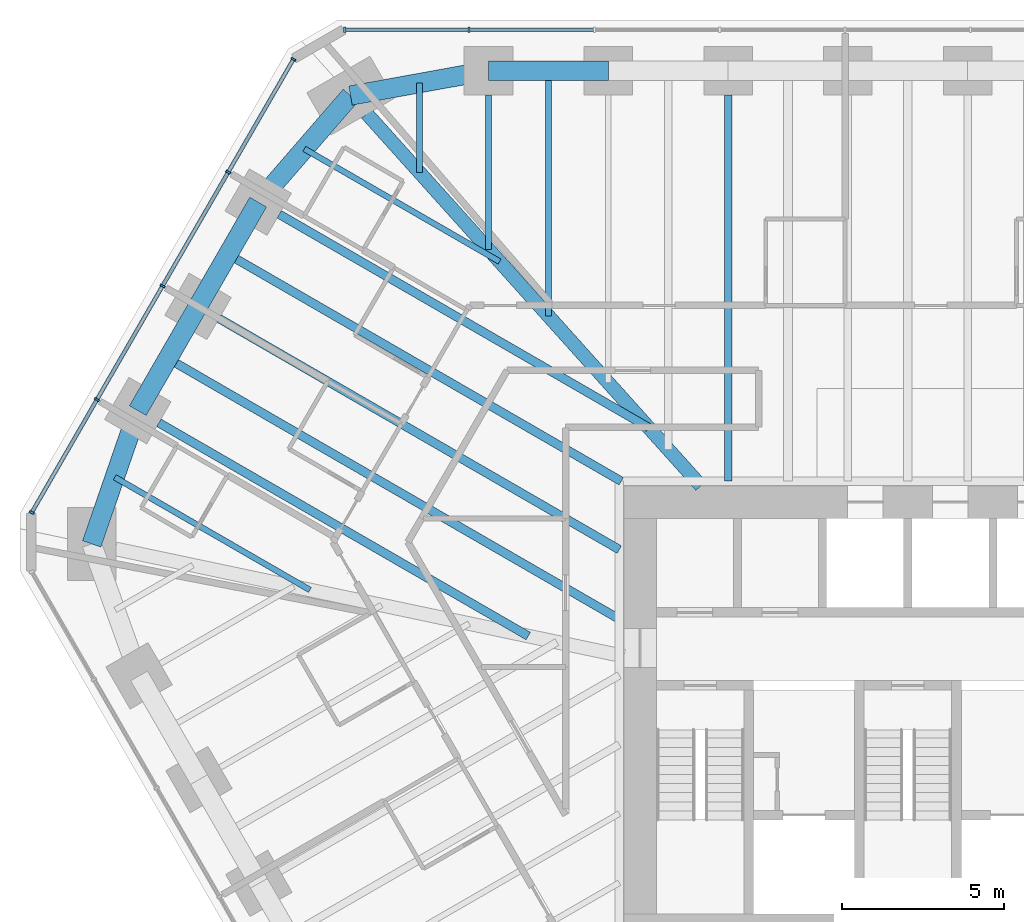
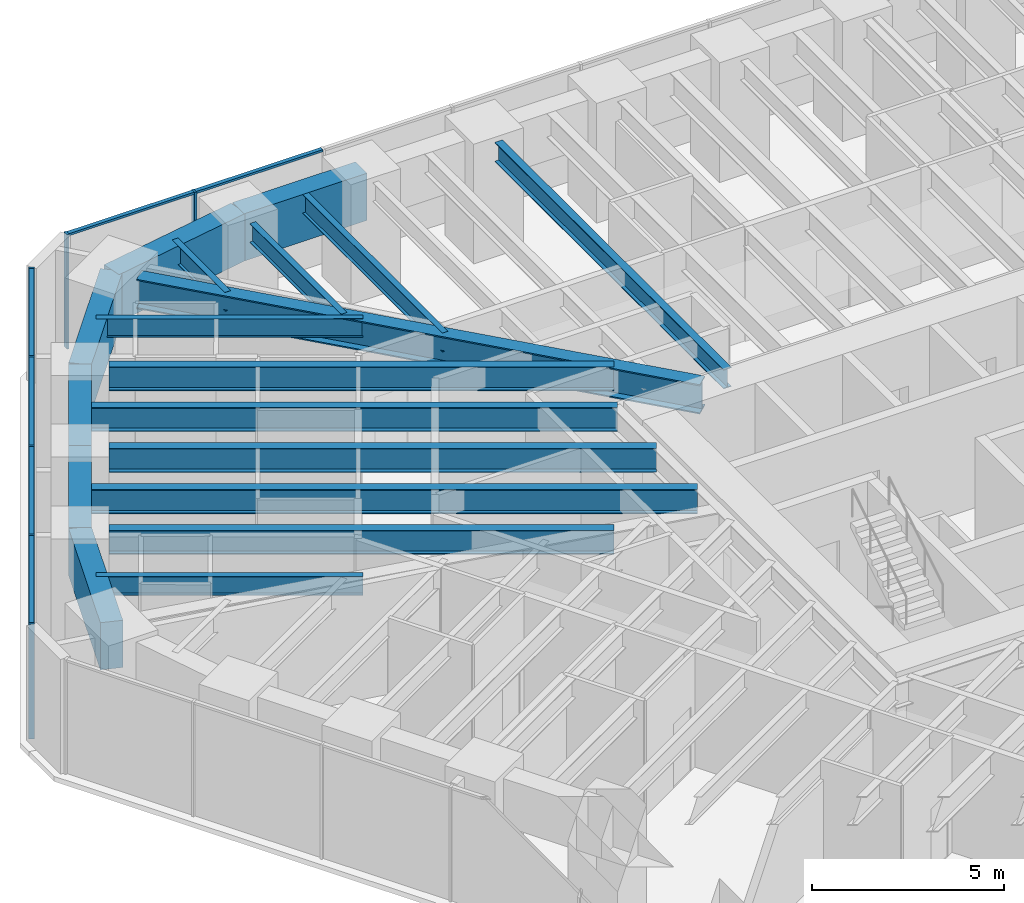
# One storey, part 7 of 17: 18 beams, 13 members, 2 elements without a shape of their own.
"""IFC4 building model written with IfcOpenShell, lengths in metres."""

import ifcopenshell
import ifcopenshell.guid

model = None  # the IFC model being written
_history = None  # IfcOwnerHistory: only IFC2X3 demands one
_inside = {}  # id of a spatial element -> (the spatial element, [elements in it])
_under = {}  # id of a project, library or spatial element -> (it, [spatial elements below it])
_declared = {}  # id of a project -> (the project, [libraries it declares])
_typed = {}  # id of a type object -> (the type object, [elements of that type])
_made_of = {}  # id of a material, layer set ... -> (it, [elements and type objects made of it])


def new_model(schema):
    """Start an empty IFC model of exactly this schema.

    Asked for "IFC4X3", IfcOpenShell would pick the latest addendum, in which some entities
    have other attributes; the version numbers below select the first issue.
    IFC2X3 requires an IfcOwnerHistory on every rooted entity: one is made here for all.
    """
    global model, _history
    if schema == "IFC4X3":
        model = ifcopenshell.file(schema_version=(4, 3, 0, 0))
    else:
        model = ifcopenshell.file(schema=schema)
    _inside.clear()
    _under.clear()
    _declared.clear()
    _typed.clear()
    _made_of.clear()
    _history = None
    if model.schema == "IFC2X3":
        org = make("IfcOrganization", Name="unknown")
        user = make(
            "IfcPersonAndOrganization",
            ThePerson=make("IfcPerson", FamilyName="unknown"),
            TheOrganization=org,
        )
        app = make(
            "IfcApplication",
            ApplicationDeveloper=org,
            Version="unknown",
            ApplicationFullName="unknown",
            ApplicationIdentifier="unknown",
        )
        _history = make(
            "IfcOwnerHistory",
            OwningUser=user,
            OwningApplication=app,
            ChangeAction="ADDED",
            CreationDate=0,
        )
    return model


def make(cls, **values):
    """One entity of the class cls with the attributes given. An attribute that is None is left unset."""
    return model.create_entity(
        cls, **{name: value for name, value in values.items() if value is not None}
    )


def rooted(cls, **values):
    """An entity with a GlobalId (a new one), such as an element, a storey or a relation."""
    return make(cls, GlobalId=ifcopenshell.guid.new(), OwnerHistory=_history, **values)


def si_unit(unit_type, name, prefix=None):
    """IfcSIUnit, for example si_unit("LENGTHUNIT", "METRE", prefix="MILLI")."""
    return make("IfcSIUnit", UnitType=unit_type, Prefix=prefix, Name=name)


def assignment(units):
    """IfcUnitAssignment: the units of a project."""
    return None if units is None else make("IfcUnitAssignment", Units=units)


def point(xyz):
    """IfcCartesianPoint."""
    return None if xyz is None else make("IfcCartesianPoint", Coordinates=xyz)


def direction(xyz):
    """IfcDirection."""
    return None if xyz is None else make("IfcDirection", DirectionRatios=xyz)


def frame(location, z_axis=None, x_axis=None):
    """IfcAxis2Placement3D, a coordinate frame: its origin and axes. An axis left out is left unset."""
    return make(
        "IfcAxis2Placement3D",
        Location=point(location),
        Axis=direction(z_axis),
        RefDirection=direction(x_axis),
    )


def frame_2d(location, x_axis=None):
    """IfcAxis2Placement2D, a coordinate frame in the plane: its origin and x axis."""
    return make(
        "IfcAxis2Placement2D", Location=point(location), RefDirection=direction(x_axis)
    )


def origin():
    """The frame at (0, 0, 0) with its axes left unset."""
    return frame((0.0, 0.0, 0.0))


def origin_2d():
    """The frame at (0, 0) in the plane with its x axis left unset."""
    return frame_2d((0.0, 0.0))


def place(relative_to, where):
    """IfcLocalPlacement: puts the frame where relative to a parent placement (None: the world)."""
    return make(
        "IfcLocalPlacement", PlacementRelTo=relative_to, RelativePlacement=where
    )


def context(
    kind, dimensions, precision=None, world=None, true_north=None, identifier=None
):
    """IfcGeometricRepresentationContext, for example the 3D "Model" context."""
    return make(
        "IfcGeometricRepresentationContext",
        ContextIdentifier=identifier,
        ContextType=kind,
        CoordinateSpaceDimension=dimensions,
        Precision=precision,
        WorldCoordinateSystem=world,
        TrueNorth=true_north,
    )


def subcontext(parent, identifier, kind, view, scale=None):
    """IfcGeometricRepresentationSubContext, for example "Body" below "Model"."""
    return make(
        "IfcGeometricRepresentationSubContext",
        ContextIdentifier=identifier,
        ContextType=kind,
        ParentContext=parent,
        TargetScale=scale,
        TargetView=view,
    )


def project(units=None, contexts=None):
    """IfcProject with its units and contexts."""
    return rooted(
        "IfcProject",
        Name="project",
        RepresentationContexts=contexts,
        UnitsInContext=assignment(units),
    )


def spatial(cls, under=None, at=None, **own):
    """A site, building, storey or space (cls), placed at a placement, below another one or the project."""
    s = rooted(cls, ObjectPlacement=at, **own)
    if under is not None:
        _under.setdefault(under.id(), (under, []))[1].append(s)
    return s


def profile(cls, at=None, kind="AREA", **sizes):
    """A parametric profile (cls). Its sizes go by their IFC names, for example OverallWidth=200.0."""
    return make(cls, ProfileType=kind, Position=at, **sizes)


def rectangle(**sizes):
    """IfcRectangleProfileDef."""
    return profile("IfcRectangleProfileDef", **sizes)


def i_section(**sizes):
    """IfcIShapeProfileDef."""
    return profile("IfcIShapeProfileDef", **sizes)


def extrude(swept, where, along, depth):
    """IfcExtrudedAreaSolid: the profile swept, set in the frame where, extruded along a direction by depth."""
    return make(
        "IfcExtrudedAreaSolid",
        SweptArea=swept,
        Position=where,
        ExtrudedDirection=direction(along),
        Depth=depth,
    )


def shape(context_of_items, identifier, shape_type, items):
    """IfcShapeRepresentation: the items that make up one representation, for example the "Body"."""
    return make(
        "IfcShapeRepresentation",
        ContextOfItems=context_of_items,
        RepresentationIdentifier=identifier,
        RepresentationType=shape_type,
        Items=items,
    )


def material(Name=None, Category=None):
    """IfcMaterial."""
    return make("IfcMaterial", Name=Name, Category=Category)


def material_profile(
    of_material, cross_section, Name=None, Category=None, Priority=None
):
    """IfcMaterialProfile: a cross section and its material."""
    return make(
        "IfcMaterialProfile",
        Name=Name,
        Material=of_material,
        Profile=cross_section,
        Priority=Priority,
        Category=Category,
    )


def profile_set(profiles, Name=None, composite=None):
    """IfcMaterialProfileSet."""
    return make(
        "IfcMaterialProfileSet",
        Name=Name,
        MaterialProfiles=profiles,
        CompositeProfile=composite,
    )


def made_of(thing, what):
    """Note that an element or type object is made of a material, layer set ...; save() writes the relation."""
    if what is not None:
        _made_of.setdefault(what.id(), (what, []))[1].append(thing)
    return thing


def type_object(cls, material=None, **own):
    """A type object (cls), such as IfcWallType, which elements share."""
    return made_of(rooted(cls, **own), material)


def element(
    cls,
    number,
    at=None,
    inside=None,
    cuts=None,
    type_object=None,
    material=None,
    context=None,
    identifier="Body",
    shape_type=None,
    held_by="IfcProductDefinitionShape",
    body=None,
    shapes=None,
    **own,
):
    """One element of the class cls, such as IfcWall. Its Tag is "e" and its number.

    at: its placement. inside: the storey or other place that contains it. cuts: it is an
    opening in that element (IfcRelVoidsElement). A single representation is given by context,
    identifier, shape_type and body (its items); several are given by shapes. held_by: the class
    of the entity that holds the representations. save() writes the other relations.
    """
    e = rooted(cls, Tag="e%d" % number, ObjectPlacement=at, **own)
    if body is not None:
        shapes = [shape(context, identifier, shape_type, body)]
    if shapes is not None:
        e.Representation = make(held_by, Representations=shapes)
    if inside is not None:
        _inside.setdefault(inside.id(), (inside, []))[1].append(e)
    if cuts is not None:
        rooted(
            "IfcRelVoidsElement", RelatingBuildingElement=cuts, RelatedOpeningElement=e
        )
    if type_object is not None:
        _typed.setdefault(type_object.id(), (type_object, []))[1].append(e)
    return made_of(e, material)


def aggregate(whole, parts):
    """IfcRelAggregates: a whole, such as a stair, and the parts it consists of."""
    return rooted("IfcRelAggregates", RelatingObject=whole, RelatedObjects=parts)


def save(model, path):
    """Write the relations noted so far, then the file.

    IfcRelAggregates (storeys below a building ...), IfcRelContainedInSpatialStructure (elements
    in a storey), IfcRelDefinesByType, IfcRelAssociatesMaterial and IfcRelDeclares: one each for
    every whole, place, type object, material and project.
    """
    for whole, parts in _under.values():
        aggregate(whole, parts)
    for where, things in _inside.values():
        rooted(
            "IfcRelContainedInSpatialStructure",
            RelatedElements=things,
            RelatingStructure=where,
        )
    for kind, things in _typed.values():
        rooted("IfcRelDefinesByType", RelatedObjects=things, RelatingType=kind)
    for what, things in _made_of.values():
        rooted("IfcRelAssociatesMaterial", RelatedObjects=things, RelatingMaterial=what)
    for by, libraries in _declared.values():
        rooted("IfcRelDeclares", RelatingContext=by, RelatedDefinitions=libraries)
    model.write(path)


model = new_model("IFC4")

# Units and contexts
model_context = context("Model", 3, precision=1e-05, world=origin(), true_north=direction((0.0, 1.0)))
body_context = subcontext(model_context, "Body", "Model", "MODEL_VIEW")
ifc_project = project(units=[si_unit("LENGTHUNIT", "METRE"), si_unit("AREAUNIT", "SQUARE_METRE"), si_unit("VOLUMEUNIT", "CUBIC_METRE"), si_unit("PLANEANGLEUNIT", "RADIAN"), si_unit("MASSUNIT", "GRAM", prefix="KILO")], contexts=[model_context])

# Site, building, storey
site_placement = place(None, origin())
site = spatial("IfcSite", under=ifc_project, at=site_placement, CompositionType="ELEMENT")
building_placement = place(site_placement, origin())
building = spatial("IfcBuilding", under=site, at=building_placement, Name="Sandreach Pilgrim Tower", CompositionType="ELEMENT")
storey_placement = place(building_placement, frame((0.0, 0.0, 198.39990234375)))
storey = spatial("IfcBuildingStorey", under=building, at=storey_placement, Name="L49", CompositionType="ELEMENT", Elevation=198.39990234375)

# Curtain wall, members
ifc_material_1 = material(Name="Aluminium framed curtain wall", Category="aluminium")
curtain_wall_type = type_object("IfcCurtainWallType", Name="Upper hotel tower curtain wall", PredefinedType="NOTDEFINED", material=ifc_material_1)
curtain_wall_1_placement = place(storey_placement, origin())
curtain_wall_1 = element("IfcCurtainWall", 1, at=curtain_wall_1_placement, inside=storey, type_object=curtain_wall_type, Name="CW-3 L49 N", PredefinedType="NOTDEFINED")
ifc_material_2 = material(Name="Aluminium extrusion", Category="aluminium")
ifc_material_profile_1 = material_profile(ifc_material_2, rectangle(XDim=0.06494140625, YDim=0.159912109375, at=origin_2d()), Name="CW-3M 65X160")
ifc_profile_set_1 = profile_set([ifc_material_profile_1], Name="Aluminium extrusion")
member_type_1 = type_object("IfcMemberType", Name="CW-3 mullion", PredefinedType="MULLION", material=ifc_profile_set_1)
member_1_placement = place(storey_placement, frame((-17.357421875, 21.16015625, 0.0), z_axis=(0.0, 0.0, 1.0), x_axis=(1.0, 0.0, 0.0)))
member_1 = element("IfcMember", 2, at=member_1_placement, type_object=member_type_1, Name="CW-3 mullion 1", PredefinedType="MULLION", context=body_context, shape_type="SweptSolid", body=[
    extrude(rectangle(XDim=0.06494140625, YDim=0.159912109375, at=origin_2d()), origin(), (0.0, 0.0, 1.0), 3.64013671875),
])
member_2_placement = place(storey_placement, frame((-13.525390625, 21.16015625, 0.0), z_axis=(0.0, 0.0, 1.0), x_axis=(1.0, 0.0, 0.0)))
member_2 = element("IfcMember", 3, at=member_2_placement, type_object=member_type_1, Name="CW-3 mullion 2", PredefinedType="MULLION", context=body_context, shape_type="SweptSolid", body=[
    extrude(rectangle(XDim=0.06494140625, YDim=0.159912109375, at=origin_2d()), origin(), (0.0, 0.0, 1.0), 3.64013671875),
])

curtain_wall_2_placement = place(storey_placement, origin())
curtain_wall_2 = element("IfcCurtainWall", 4, at=curtain_wall_2_placement, inside=storey, type_object=curtain_wall_type, Name="CW-3 L49 NW", PredefinedType="NOTDEFINED")
member_3_placement = place(storey_placement, frame((-27.00390625, 6.278076171875, 0.0), z_axis=(0.0, 0.0, 1.0), x_axis=(0.5, 0.866025403784, 0.0)))
member_3 = element("IfcMember", 5, at=member_3_placement, type_object=member_type_1, Name="CW-3 mullion 1", PredefinedType="MULLION", context=body_context, shape_type="SweptSolid", body=[
    extrude(rectangle(XDim=0.06494140625, YDim=0.159912109375, at=origin_2d()), origin(), (0.0, 0.0, 1.0), 3.64013671875),
])
member_4_placement = place(storey_placement, frame((-24.995849609375, 9.75634765625, 0.0), z_axis=(0.0, 0.0, 1.0), x_axis=(0.5, 0.866025403784, 0.0)))
member_4 = element("IfcMember", 6, at=member_4_placement, type_object=member_type_1, Name="CW-3 mullion 2", PredefinedType="MULLION", context=body_context, shape_type="SweptSolid", body=[
    extrude(rectangle(XDim=0.06494140625, YDim=0.159912109375, at=origin_2d()), origin(), (0.0, 0.0, 1.0), 3.64013671875),
])
member_5_placement = place(storey_placement, frame((-22.971435546875, 13.262451171875, 0.0), z_axis=(0.0, 0.0, 1.0), x_axis=(0.5, 0.866025403784, 0.0)))
member_5 = element("IfcMember", 7, at=member_5_placement, type_object=member_type_1, Name="CW-3 mullion 3", PredefinedType="MULLION", context=body_context, shape_type="SweptSolid", body=[
    extrude(rectangle(XDim=0.06494140625, YDim=0.159912109375, at=origin_2d()), origin(), (0.0, 0.0, 1.0), 3.64013671875),
])
member_6_placement = place(storey_placement, frame((-20.947021484375, 16.768798828125, 0.0), z_axis=(0.0, 0.0, 1.0), x_axis=(0.5, 0.866025403784, 0.0)))
member_6 = element("IfcMember", 8, at=member_6_placement, type_object=member_type_1, Name="CW-3 mullion 4", PredefinedType="MULLION", context=body_context, shape_type="SweptSolid", body=[
    extrude(rectangle(XDim=0.06494140625, YDim=0.159912109375, at=origin_2d()), origin(), (0.0, 0.0, 1.0), 3.64013671875),
])
member_7_placement = place(storey_placement, frame((-18.93896484375, 20.2470703125, 0.0), z_axis=(0.0, 0.0, 1.0), x_axis=(0.5, 0.866025403784, 0.0)))
member_7 = element("IfcMember", 9, at=member_7_placement, type_object=member_type_1, Name="CW-3 mullion 5", PredefinedType="MULLION", context=body_context, shape_type="SweptSolid", body=[
    extrude(rectangle(XDim=0.06494140625, YDim=0.159912109375, at=origin_2d()), origin(), (0.0, 0.0, 1.0), 3.64013671875),
])

# Member
ifc_material_3 = material(Name="Aluminium extrusion", Category="aluminium")
ifc_material_profile_2 = material_profile(ifc_material_3, rectangle(XDim=0.1201171875, YDim=0.070068359375, at=origin_2d()), Name="CW-3T 120X70")
ifc_profile_set_2 = profile_set([ifc_material_profile_2], Name="Aluminium extrusion")
member_type_2 = type_object("IfcMemberType", Name="CW-3 transom", PredefinedType="USERDEFINED", material=ifc_profile_set_2)
member_8_placement = place(storey_placement, frame((-17.324951171875, 21.16015625, 3.60498046875), z_axis=(1.0, 0.0, 0.0), x_axis=(0.0, 1.0, 0.0)))
member_8 = element("IfcMember", 10, at=member_8_placement, type_object=member_type_2, Name="CW-3 head transom 1", ObjectType="TRANSOM", PredefinedType="USERDEFINED", context=body_context, shape_type="SweptSolid", body=[
    extrude(rectangle(XDim=0.1201171875, YDim=0.070068359375, at=origin_2d()), origin(), (0.0, 0.0, 1.0), 3.76708984375),
])

member_9_placement = place(storey_placement, frame((-13.492919921875, 21.16015625, 3.60498046875), z_axis=(1.0, 0.0, 0.0), x_axis=(0.0, 1.0, 0.0)))
member_9 = element("IfcMember", 11, at=member_9_placement, type_object=member_type_2, Name="CW-3 head transom 2", ObjectType="TRANSOM", PredefinedType="USERDEFINED", context=body_context, shape_type="SweptSolid", body=[
    extrude(rectangle(XDim=0.1201171875, YDim=0.070068359375, at=origin_2d()), origin(), (0.0, 0.0, 1.0), 3.79931640625),
])

aggregate(curtain_wall_1, [member_1, member_2, member_8, member_9])

member_10_placement = place(storey_placement, frame((-26.987548828125, 6.306396484375, 3.60498046875), z_axis=(0.499993448556, 0.866029186229, 0.0), x_axis=(-0.866029186229, 0.499993448556, 0.0)))
member_10 = element("IfcMember", 12, at=member_10_placement, type_object=member_type_2, Name="CW-3 head transom 1", ObjectType="TRANSOM", PredefinedType="USERDEFINED", context=body_context, shape_type="SweptSolid", body=[
    extrude(rectangle(XDim=0.1201171875, YDim=0.070068359375, at=origin_2d()), origin(), (0.0, 0.0, 1.0), 3.951171875),
])

member_11_placement = place(storey_placement, frame((-24.9794921875, 9.784423828125, 3.60498046875), z_axis=(0.499975332564, 0.866039645067, 0.0), x_axis=(-0.866039645067, 0.499975332564, 0.0)))
member_11 = element("IfcMember", 13, at=member_11_placement, type_object=member_type_2, Name="CW-3 head transom 2", ObjectType="TRANSOM", PredefinedType="USERDEFINED", context=body_context, shape_type="SweptSolid", body=[
    extrude(rectangle(XDim=0.1201171875, YDim=0.070068359375, at=origin_2d()), origin(), (0.0, 0.0, 1.0), 3.983642578125),
])

member_12_placement = place(storey_placement, frame((-22.955078125, 13.290771484375, 3.60498046875), z_axis=(0.499975332564, 0.866039645067, 0.0), x_axis=(-0.866039645067, 0.499975332564, 0.0)))
member_12 = element("IfcMember", 14, at=member_12_placement, type_object=member_type_2, Name="CW-3 head transom 3", ObjectType="TRANSOM", PredefinedType="USERDEFINED", context=body_context, shape_type="SweptSolid", body=[
    extrude(rectangle(XDim=0.1201171875, YDim=0.070068359375, at=origin_2d()), origin(), (0.0, 0.0, 1.0), 3.983642578125),
])

member_13_placement = place(storey_placement, frame((-20.930908203125, 16.796875, 3.60498046875), z_axis=(0.499993448556, 0.866029186229, 0.0), x_axis=(-0.866029186229, 0.499993448556, 0.0)))
member_13 = element("IfcMember", 15, at=member_13_placement, type_object=member_type_2, Name="CW-3 head transom 4", ObjectType="TRANSOM", PredefinedType="USERDEFINED", context=body_context, shape_type="SweptSolid", body=[
    extrude(rectangle(XDim=0.1201171875, YDim=0.070068359375, at=origin_2d()), origin(), (0.0, 0.0, 1.0), 3.951171875),
])

aggregate(curtain_wall_2, [member_3, member_4, member_5, member_6, member_7, member_10, member_11, member_12, member_13])

# Beams
ifc_material_4 = material(Name="Steel ASTM A992 Grade 50", Category="steel")
ifc_material_profile_3 = material_profile(ifc_material_4, i_section(OverallWidth=0.421630859375, OverallDepth=0.937255859375, WebThickness=0.0224609375, FlangeThickness=0.039794921875, at=origin_2d()), Name="W36X282")
ifc_profile_set_3 = profile_set([ifc_material_profile_3], Name="Steel ASTM A992 Grade 50")
beam_type_1 = type_object("IfcBeamType", Name="Corner girder W36X282", PredefinedType="BEAM", material=ifc_profile_set_3)
beam_1_placement = place(storey_placement, frame((-16.677001953125, 18.572509765625, 3.17138671875), z_axis=(0.668116607722, -0.744056582853, 0.0), x_axis=(0.744056582853, 0.668116607722, 0.0)))
element("IfcBeam", 16, at=beam_1_placement, inside=storey, type_object=beam_type_1, Name="BM L49 CG39", PredefinedType="BEAM", context=body_context, shape_type="SweptSolid", body=[
    extrude(i_section(OverallWidth=0.421630859375, OverallDepth=0.937255859375, WebThickness=0.0224609375, FlangeThickness=0.039794921875, at=origin_2d()), origin(), (0.0, 0.0, 1.0), 15.418701171875),
])
ifc_material_5 = material(Name="Steel ASTM A992 Grade 50", Category="steel")
ifc_material_profile_4 = material_profile(ifc_material_5, i_section(OverallWidth=0.1787109375, OverallDepth=0.60205078125, WebThickness=0.010986328125, FlangeThickness=0.014892578125, at=origin_2d()), Name="W24X62")
ifc_profile_set_4 = profile_set([ifc_material_profile_4], Name="Steel ASTM A992 Grade 50")
beam_type_2 = type_object("IfcBeamType", Name="Floor beam W24X62", PredefinedType="BEAM", material=ifc_profile_set_4)
beam_2_placement = place(storey_placement, frame((-12.923828125, 19.150146484375, 3.339111328125), z_axis=(0.0, -1.0, 0.0), x_axis=(1.0, 0.0, 0.0)))
element("IfcBeam", 17, at=beam_2_placement, inside=storey, type_object=beam_type_2, Name="BM L49 F01", PredefinedType="BEAM", context=body_context, shape_type="SweptSolid", body=[
    extrude(i_section(OverallWidth=0.1787109375, OverallDepth=0.60205078125, WebThickness=0.010986328125, FlangeThickness=0.014892578125, at=origin_2d()), origin(), (0.0, 0.0, 1.0), 4.757568359375),
])
beam_3_placement = place(storey_placement, frame((-11.077392578125, 19.900146484375, 3.339111328125), z_axis=(0.0, -1.0, 0.0), x_axis=(1.0, 0.0, 0.0)))
element("IfcBeam", 18, at=beam_3_placement, inside=storey, type_object=beam_type_2, Name="BM L49 FM01", PredefinedType="BEAM", context=body_context, shape_type="SweptSolid", body=[
    extrude(i_section(OverallWidth=0.1787109375, OverallDepth=0.60205078125, WebThickness=0.010986328125, FlangeThickness=0.014892578125, at=origin_2d()), origin(), (0.0, 0.0, 1.0), 7.563720703125),
])
for number, where, z_axis, x_axis, name in (
    (19, (-24.446044921875, 7.365234375, 3.339111328125), (0.866029381593, -0.499993110171, 0.0), (0.499993110171, 0.866029381593, 0.0), "BM L49 FM35"),
    (20, (-18.6015625, 17.48828125, 3.339111328125), (0.866029381593, -0.499993110171, 0.0), (0.499993110171, 0.866029381593, 0.0), "BM L49 FM38"),
):
    element("IfcBeam", number, at=place(storey_placement, frame(where, z_axis=z_axis, x_axis=x_axis)), inside=storey, type_object=beam_type_2, Name=name, PredefinedType="BEAM", context=body_context, shape_type="SweptSolid", body=[
        extrude(i_section(OverallWidth=0.1787109375, OverallDepth=0.60205078125, WebThickness=0.010986328125, FlangeThickness=0.014892578125, at=origin_2d()), origin(), (0.0, 0.0, 1.0), 6.94921875),
    ])
beam_4_placement = place(storey_placement, frame((-15.05078125, 19.515380859375, 3.339111328125), z_axis=(0.0, -1.0, 0.0), x_axis=(1.0, 0.0, 0.0)))
element("IfcBeam", 21, at=beam_4_placement, inside=storey, type_object=beam_type_2, Name="BM L49 FM39", PredefinedType="BEAM", context=body_context, shape_type="SweptSolid", body=[
    extrude(i_section(OverallWidth=0.1787109375, OverallDepth=0.60205078125, WebThickness=0.010986328125, FlangeThickness=0.014892578125, at=origin_2d()), origin(), (0.0, 0.0, 1.0), 2.75390625),
])
ifc_material_6 = material(Name="Steel ASTM A992 Grade 50", Category="steel")
ifc_material_profile_5 = material_profile(ifc_material_6, i_section(OverallWidth=0.23046875, OverallDepth=0.6171875, WebThickness=0.01318359375, FlangeThickness=0.022216796875, at=origin_2d()), Name="W24X94")
ifc_profile_set_5 = profile_set([ifc_material_profile_5], Name="Steel ASTM A992 Grade 50")
beam_type_3 = type_object("IfcBeamType", Name="Floor beam W24X94", PredefinedType="BEAM", material=ifc_profile_set_5)
beam_5_placement = place(storey_placement, frame((-5.538818359375, 19.150146484375, 3.33154296875), z_axis=(0.0, -1.0, 0.0), x_axis=(1.0, 0.0, 0.0)))
element("IfcBeam", 22, at=beam_5_placement, inside=storey, type_object=beam_type_3, Name="BM L49 F03", PredefinedType="BEAM", context=body_context, shape_type="SweptSolid", body=[
    extrude(i_section(OverallWidth=0.23046875, OverallDepth=0.6171875, WebThickness=0.01318359375, FlangeThickness=0.022216796875, at=origin_2d()), origin(), (0.0, 0.0, 1.0), 11.90673828125),
])
ifc_material_7 = material(Name="Steel ASTM A992 Grade 50", Category="steel")
ifc_material_profile_6 = material_profile(ifc_material_7, i_section(OverallWidth=0.2666015625, OverallDepth=0.761962890625, WebThickness=0.014404296875, FlangeThickness=0.021484375, at=origin_2d()), Name="W30X116")
ifc_profile_set_6 = profile_set([ifc_material_profile_6], Name="Steel ASTM A992 Grade 50")
beam_type_4 = type_object("IfcBeamType", Name="Floor beam W30X116", PredefinedType="BEAM", material=ifc_profile_set_6)
beam_6_placement = place(storey_placement, frame((-23.0859375, 9.044189453125, 3.259033203125), z_axis=(0.866026962808, -0.499997299682, 0.0), x_axis=(0.499997299682, 0.866026962808, 0.0)))
element("IfcBeam", 23, at=beam_6_placement, inside=storey, type_object=beam_type_4, Name="BM L49 F36", PredefinedType="BEAM", context=body_context, shape_type="SweptSolid", body=[
    extrude(i_section(OverallWidth=0.2666015625, OverallDepth=0.761962890625, WebThickness=0.014404296875, FlangeThickness=0.021484375, at=origin_2d()), origin(), (0.0, 0.0, 1.0), 13.1484375),
])
beam_7_placement = place(storey_placement, frame((-21.230712890625, 12.257568359375, 3.259033203125), z_axis=(0.866024056942, -0.500002332792, 0.0), x_axis=(0.500002332792, 0.866024056942, 0.0)))
element("IfcBeam", 24, at=beam_7_placement, inside=storey, type_object=beam_type_4, Name="BM L49 F37", PredefinedType="BEAM", context=body_context, shape_type="SweptSolid", body=[
    extrude(i_section(OverallWidth=0.2666015625, OverallDepth=0.761962890625, WebThickness=0.014404296875, FlangeThickness=0.021484375, at=origin_2d()), origin(), (0.0, 0.0, 1.0), 14.24609375),
])
beam_8_placement = place(storey_placement, frame((-19.37548828125, 15.470947265625, 3.259033203125), z_axis=(0.866022320763, -0.500005339912, 0.0), x_axis=(0.500005339912, 0.866022320763, 0.0)))
element("IfcBeam", 25, at=beam_8_placement, inside=storey, type_object=beam_type_4, Name="BM L49 F38", PredefinedType="BEAM", context=body_context, shape_type="SweptSolid", body=[
    extrude(i_section(OverallWidth=0.2666015625, OverallDepth=0.761962890625, WebThickness=0.014404296875, FlangeThickness=0.021484375, at=origin_2d()), origin(), (0.0, 0.0, 1.0), 13.148193359375),
])
beam_9_placement = place(storey_placement, frame((-20.95263671875, 14.2392578125, 3.259033203125), z_axis=(0.866025770688, -0.499999364504, 0.0), x_axis=(0.499999364504, 0.866025770688, 0.0)))
element("IfcBeam", 26, at=beam_9_placement, inside=storey, type_object=beam_type_4, Name="BM L49 FM37", PredefinedType="BEAM", context=body_context, shape_type="SweptSolid", body=[
    extrude(i_section(OverallWidth=0.2666015625, OverallDepth=0.761962890625, WebThickness=0.014404296875, FlangeThickness=0.021484375, at=origin_2d()), origin(), (0.0, 0.0, 1.0), 13.99169921875),
])
ifc_material_8 = material(Name="Steel ASTM A992 Grade 50", Category="steel")
ifc_material_profile_7 = material_profile(ifc_material_8, i_section(OverallWidth=0.2666015625, OverallDepth=0.77978515625, WebThickness=0.0166015625, FlangeThickness=0.030029296875, at=origin_2d()), Name="W30X148")
ifc_profile_set_7 = profile_set([ifc_material_profile_7], Name="Steel ASTM A992 Grade 50")
beam_type_5 = type_object("IfcBeamType", Name="Floor beam W30X148", PredefinedType="BEAM", material=ifc_profile_set_7)
beam_10_placement = place(storey_placement, frame((-22.807861328125, 11.02587890625, 3.250244140625), z_axis=(0.866028701771, -0.499994287676, 0.0), x_axis=(0.499994287676, 0.866028701771, 0.0)))
element("IfcBeam", 27, at=beam_10_placement, inside=storey, type_object=beam_type_5, Name="BM L49 FM36", PredefinedType="BEAM", context=body_context, shape_type="SweptSolid", body=[
    extrude(i_section(OverallWidth=0.2666015625, OverallDepth=0.77978515625, WebThickness=0.0166015625, FlangeThickness=0.030029296875, at=origin_2d()), origin(), (0.0, 0.0, 1.0), 16.067138671875),
])
ifc_material_9 = material(Name="Concrete 10000 psi", Category="concrete")
ifc_material_profile_8 = material_profile(ifc_material_9, rectangle(XDim=0.60009765625, YDim=1.5, at=origin_2d()), Name="RC600X1500")
ifc_profile_set_8 = profile_set([ifc_material_profile_8], Name="Concrete 10000 psi")
beam_type_6 = type_object("IfcBeamType", Name="Spandrel beam RC600X1500", PredefinedType="SPANDREL", material=ifc_profile_set_8)
beam_11_placement = place(storey_placement, frame((-12.923828125, 19.900146484375, 2.89013671875), z_axis=(1.0, 0.0, 0.0), x_axis=(0.0, 1.0, 0.0)))
element("IfcBeam", 28, at=beam_11_placement, inside=storey, type_object=beam_type_6, Name="BM L49 SP01", PredefinedType="SPANDREL", context=body_context, shape_type="SweptSolid", body=[
    extrude(rectangle(XDim=0.60009765625, YDim=1.5, at=origin_2d()), origin(), (0.0, 0.0, 1.0), 3.692626953125),
])
beam_12_placement = place(storey_placement, frame((-25.156494140625, 5.311279296875, 2.89013671875), z_axis=(0.326940800053, 0.945044820768, 0.0), x_axis=(-0.945044820768, 0.326940800053, 0.0)))
element("IfcBeam", 29, at=beam_12_placement, inside=storey, type_object=beam_type_6, Name="BM L49 SP35", PredefinedType="SPANDREL", context=body_context, shape_type="SweptSolid", body=[
    extrude(rectangle(XDim=0.60009765625, YDim=1.5, at=origin_2d()), origin(), (0.0, 0.0, 1.0), 4.3466796875),
])
for number, where, z_axis, x_axis, name in (
    (30, (-23.7353515625, 9.419189453125, 2.89013671875), (0.499946491854, 0.866056294523, 0.0), (-0.866056294523, 0.499946491854, 0.0), "BM L49 SP36"),
    (31, (-21.88037109375, 12.632568359375, 2.89013671875), (0.499995842751, 0.86602780396, 0.0), (-0.86602780396, 0.499995842751, 0.0), "BM L49 SP37"),
):
    element("IfcBeam", number, at=place(storey_placement, frame(where, z_axis=z_axis, x_axis=x_axis)), inside=storey, type_object=beam_type_6, Name=name, PredefinedType="SPANDREL", context=body_context, shape_type="SweptSolid", body=[
        extrude(rectangle(XDim=0.60009765625, YDim=1.5, at=origin_2d()), origin(), (0.0, 0.0, 1.0), 3.71044921875),
    ])
beam_13_placement = place(storey_placement, frame((-20.025146484375, 15.845947265625, 2.89013671875), z_axis=(0.65499040715, 0.755637192402, 0.0), x_axis=(-0.755637192402, 0.65499040715, 0.0)))
element("IfcBeam", 32, at=beam_13_placement, inside=storey, type_object=beam_type_6, Name="BM L49 SP38", PredefinedType="SPANDREL", context=body_context, shape_type="SweptSolid", body=[
    extrude(rectangle(XDim=0.60009765625, YDim=1.5, at=origin_2d()), origin(), (0.0, 0.0, 1.0), 4.346923828125),
])
beam_14_placement = place(storey_placement, frame((-17.177978515625, 19.130615234375, 2.89013671875), z_axis=(0.984030345637, 0.178000783326, 0.0), x_axis=(-0.178000783326, 0.984030345637, 0.0)))
element("IfcBeam", 33, at=beam_14_placement, inside=storey, type_object=beam_type_6, Name="BM L49 SP39", PredefinedType="SPANDREL", context=body_context, shape_type="SweptSolid", body=[
    extrude(rectangle(XDim=0.60009765625, YDim=1.5, at=origin_2d()), origin(), (0.0, 0.0, 1.0), 4.3232421875),
])

save(model, "model.ifc")
